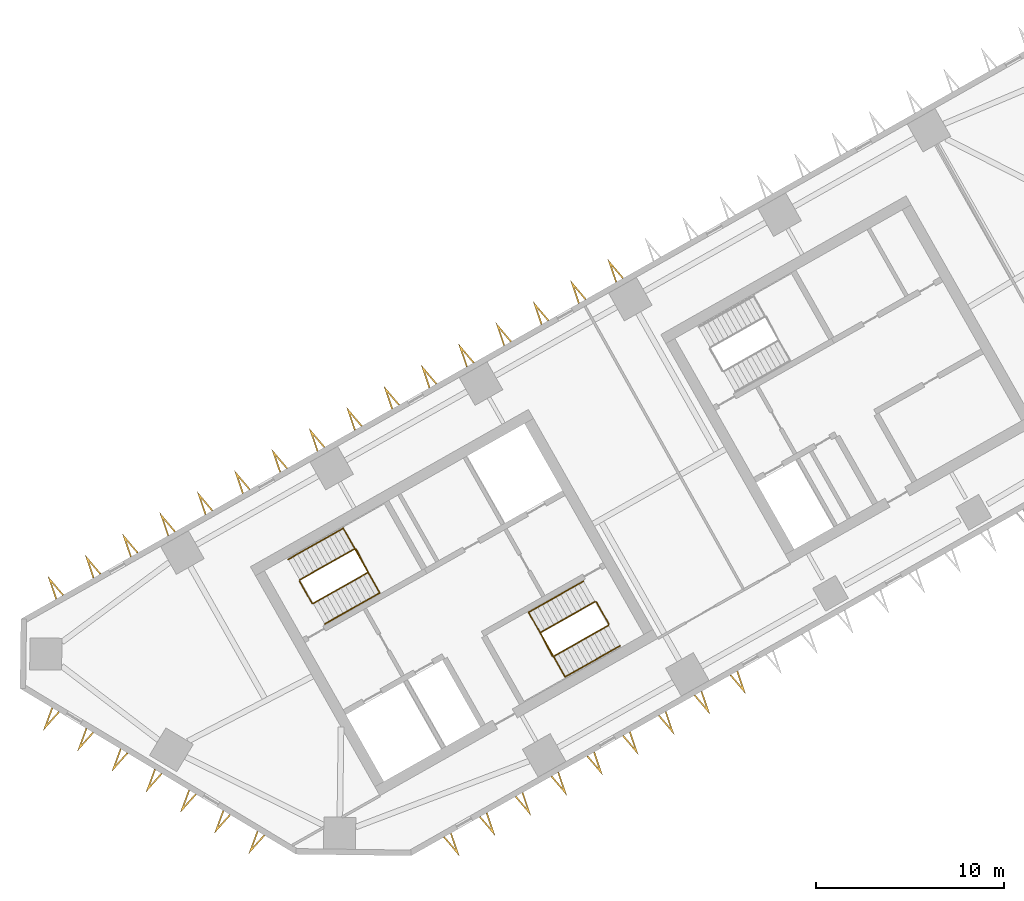
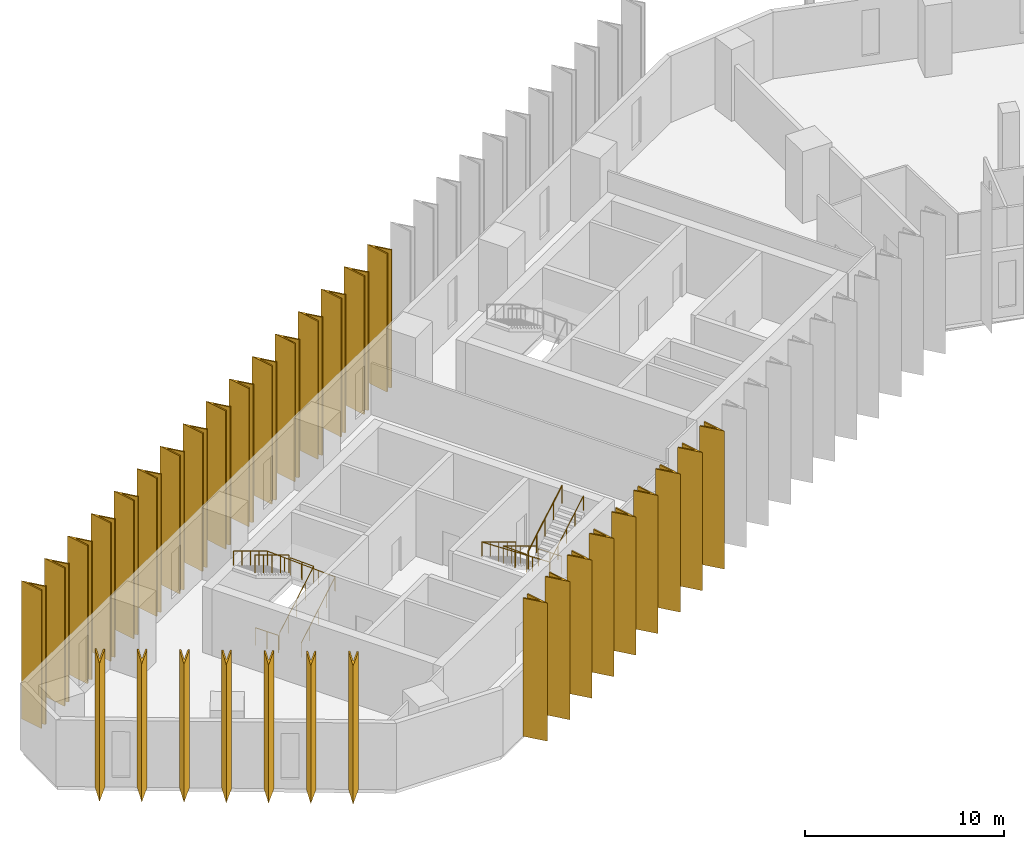
# One storey, part 9 of 11: 32 shading devices, 8 railings.
"""IFC4 building model written with IfcOpenShell, lengths in metres."""

from ifc_helpers import new_model, si_unit, direction, frame, origin, origin_2d, place, context, subcontext, project, spatial, polyline, circle, outline, extrude, material, type_object, element, save


model = new_model("IFC4")

# Units and contexts
model_context = context("Model", 3, precision=1e-05, world=origin(), true_north=direction((0.0, 1.0)))
body_context = subcontext(model_context, "Body", "Model", "MODEL_VIEW")
ifc_project = project(units=[si_unit("LENGTHUNIT", "METRE"), si_unit("AREAUNIT", "SQUARE_METRE"), si_unit("VOLUMEUNIT", "CUBIC_METRE"), si_unit("PLANEANGLEUNIT", "RADIAN"), si_unit("MASSUNIT", "GRAM", prefix="KILO")], contexts=[model_context])

# Site, building, storey
site_placement = place(None, origin())
site = spatial("IfcSite", under=ifc_project, at=site_placement, CompositionType="ELEMENT")
building_placement = place(site_placement, origin())
building = spatial("IfcBuilding", under=site, at=building_placement, Name="Binnacle Exchange Tower", CompositionType="ELEMENT")
storey_placement = place(building_placement, frame((0.0, 0.0, 97.10009765625)))
storey = spatial("IfcBuildingStorey", under=building, at=storey_placement, Name="L19", CompositionType="ELEMENT", Elevation=97.10009765625)

# Railings
ifc_material_1 = material(Name="Steel guard rail", Category="steel")
railing_type_1 = type_object("IfcRailingType", Name="STAIR GUARD 1100", PredefinedType="GUARDRAIL", material=ifc_material_1)
railing_1_placement = place(storey_placement, frame((-43.26171875, 39.71728515625, 0.169189453125)))
element("IfcRailing", 1, at=railing_1_placement, inside=storey, type_object=railing_type_1, Name="L19 STA1 stair guard 1", PredefinedType="GUARDRAIL", context=body_context, shape_type="SweptSolid", body=[
    extrude(circle(Radius=0.02392578125, at=origin_2d()), frame((0.0, 0.0, 1.076171875), z_axis=(0.744867460262, 0.421436531824, 0.517265614832), x_axis=(-0.492433119026, 0.870350287693, 0.0)), (0.0, 0.0, 1.0), 3.926025390625),
    extrude(circle(Radius=0.02392578125, at=origin_2d()), frame((2.92431640625, 1.654541015625, 3.10693359375), z_axis=(-0.460963092712, 0.887419307406, 0.0), x_axis=(-0.887419307406, -0.460963092712, 0.0)), (0.0, 0.0, 1.0), 1.40087890625),
    extrude(circle(Radius=0.02099609375, at=origin_2d()), origin(), (0.0, 0.0, 1.0), 1.052001953125),
    extrude(circle(Radius=0.02099609375, at=origin_2d()), frame((0.73095703125, 0.41357421875, 0.5078125)), (0.0, 0.0, 1.0), 1.052001953125),
    extrude(circle(Radius=0.02099609375, at=origin_2d()), frame((1.462158203125, 0.8271484375, 1.015380859375)), (0.0, 0.0, 1.0), 1.052001953125),
    extrude(circle(Radius=0.02099609375, at=origin_2d()), frame((2.193359375, 1.240966796875, 1.52294921875)), (0.0, 0.0, 1.0), 1.052001953125),
    extrude(circle(Radius=0.02099609375, at=origin_2d()), frame((2.92431640625, 1.654541015625, 2.03076171875)), (0.0, 0.0, 1.0), 1.052001953125),
    extrude(circle(Radius=0.02099609375, at=origin_2d()), frame((2.6015625, 2.276123046875, 2.03076171875)), (0.0, 0.0, 1.0), 1.052001953125),
    extrude(circle(Radius=0.02099609375, at=origin_2d()), frame((2.278564453125, 2.897705078125, 2.03076171875)), (0.0, 0.0, 1.0), 1.052001953125),
])
railing_2_placement = place(storey_placement, frame((-41.05126953125, 42.6337890625, 2.369140625)))
element("IfcRailing", 2, at=railing_2_placement, inside=storey, type_object=railing_type_1, Name="L19 STA1 stair guard 2", PredefinedType="GUARDRAIL", context=body_context, shape_type="SweptSolid", body=[
    extrude(circle(Radius=0.02392578125, at=origin_2d()), frame((0.0, 0.0, 1.076171875), z_axis=(-0.744895141965, -0.421417011194, 0.517241655469), x_axis=(0.49240197835, -0.870367905955, 0.0)), (0.0, 0.0, 1.0), 3.926025390625),
    extrude(circle(Radius=0.02099609375, at=origin_2d()), origin(), (0.0, 0.0, 1.0), 1.052001953125),
    extrude(circle(Radius=0.02099609375, at=origin_2d()), frame((-0.731201171875, -0.41357421875, 0.5078125)), (0.0, 0.0, 1.0), 1.052001953125),
    extrude(circle(Radius=0.02099609375, at=origin_2d()), frame((-1.46240234375, -0.8271484375, 1.015380859375)), (0.0, 0.0, 1.0), 1.052001953125),
    extrude(circle(Radius=0.02099609375, at=origin_2d()), frame((-2.193359375, -1.240966796875, 1.52294921875)), (0.0, 0.0, 1.0), 1.052001953125),
    extrude(circle(Radius=0.02099609375, at=origin_2d()), frame((-2.924560546875, -1.654541015625, 2.03076171875)), (0.0, 0.0, 1.0), 1.052001953125),
])
railing_3_placement = place(storey_placement, frame((-43.329833984375, 39.736328125, 0.0)))
element("IfcRailing", 3, at=railing_3_placement, inside=storey, type_object=railing_type_1, Name="L19 STA1 stair guard 3", PredefinedType="GUARDRAIL", context=body_context, shape_type="SweptSolid", body=[
    extrude(circle(Radius=0.02392578125, at=origin_2d()), frame((0.0, 0.0, 1.076171875), z_axis=(-0.4924922531, 0.870316827734, 0.0), x_axis=(-0.870316827734, -0.4924922531, 0.0)), (0.0, 0.0, 1.0), 1.349853515625),
    extrude(circle(Radius=0.02099609375, at=origin_2d()), origin(), (0.0, 0.0, 1.0), 1.052001953125),
    extrude(circle(Radius=0.02099609375, at=origin_2d()), frame((-0.33251953125, 0.58740234375, 0.0)), (0.0, 0.0, 1.0), 1.052001953125),
    extrude(circle(Radius=0.02099609375, at=origin_2d()), frame((-0.664794921875, 1.1748046875, 0.0)), (0.0, 0.0, 1.0), 1.052001953125),
])
railing_4_placement = place(storey_placement, frame((-28.265380859375, 39.814453125, 0.169189453125)))
element("IfcRailing", 4, at=railing_4_placement, inside=storey, type_object=railing_type_1, Name="L19 STA2 stair guard 1", PredefinedType="GUARDRAIL", context=body_context, shape_type="SweptSolid", body=[
    extrude(circle(Radius=0.02392578125, at=origin_2d()), frame((0.0, 0.0, 1.076171875), z_axis=(-0.744895141965, -0.421417011194, 0.517241655469), x_axis=(0.49240197835, -0.870367905955, 0.0)), (0.0, 0.0, 1.0), 3.926025390625),
    extrude(circle(Radius=0.02392578125, at=origin_2d()), frame((-2.924560546875, -1.654541015625, 3.10693359375), z_axis=(0.461100321709, -0.887348011391, 0.0), x_axis=(0.887348011391, 0.461100321709, 0.0)), (0.0, 0.0, 1.0), 1.40087890625),
    extrude(circle(Radius=0.02099609375, at=origin_2d()), origin(), (0.0, 0.0, 1.0), 1.052001953125),
    extrude(circle(Radius=0.02099609375, at=origin_2d()), frame((-0.731201171875, -0.41357421875, 0.5078125)), (0.0, 0.0, 1.0), 1.052001953125),
    extrude(circle(Radius=0.02099609375, at=origin_2d()), frame((-1.46240234375, -0.8271484375, 1.015380859375)), (0.0, 0.0, 1.0), 1.052001953125),
    extrude(circle(Radius=0.02099609375, at=origin_2d()), frame((-2.193359375, -1.240966796875, 1.52294921875)), (0.0, 0.0, 1.0), 1.052001953125),
    extrude(circle(Radius=0.02099609375, at=origin_2d()), frame((-2.924560546875, -1.654541015625, 2.03076171875)), (0.0, 0.0, 1.0), 1.052001953125),
    extrude(circle(Radius=0.02099609375, at=origin_2d()), frame((-2.6015625, -2.276123046875, 2.03076171875)), (0.0, 0.0, 1.0), 1.052001953125),
    extrude(circle(Radius=0.02099609375, at=origin_2d()), frame((-2.278564453125, -2.897705078125, 2.03076171875)), (0.0, 0.0, 1.0), 1.052001953125),
])
railing_5_placement = place(storey_placement, frame((-30.475830078125, 36.89794921875, 2.369140625)))
element("IfcRailing", 5, at=railing_5_placement, inside=storey, type_object=railing_type_1, Name="L19 STA2 stair guard 2", PredefinedType="GUARDRAIL", context=body_context, shape_type="SweptSolid", body=[
    extrude(circle(Radius=0.02392578125, at=origin_2d()), frame((0.0, 0.0, 1.076171875), z_axis=(0.744867460262, 0.421436531824, 0.517265614832), x_axis=(-0.492433119026, 0.870350287693, 0.0)), (0.0, 0.0, 1.0), 3.926025390625),
    extrude(circle(Radius=0.02099609375, at=origin_2d()), origin(), (0.0, 0.0, 1.0), 1.052001953125),
    extrude(circle(Radius=0.02099609375, at=origin_2d()), frame((0.73095703125, 0.41357421875, 0.5078125)), (0.0, 0.0, 1.0), 1.052001953125),
    extrude(circle(Radius=0.02099609375, at=origin_2d()), frame((1.462158203125, 0.8271484375, 1.015380859375)), (0.0, 0.0, 1.0), 1.052001953125),
    extrude(circle(Radius=0.02099609375, at=origin_2d()), frame((2.193359375, 1.240966796875, 1.52294921875)), (0.0, 0.0, 1.0), 1.052001953125),
    extrude(circle(Radius=0.02099609375, at=origin_2d()), frame((2.92431640625, 1.654541015625, 2.03076171875)), (0.0, 0.0, 1.0), 1.052001953125),
])
railing_6_placement = place(storey_placement, frame((-28.197265625, 39.795654296875, 0.0)))
element("IfcRailing", 6, at=railing_6_placement, inside=storey, type_object=railing_type_1, Name="L19 STA2 stair guard 3", PredefinedType="GUARDRAIL", context=body_context, shape_type="SweptSolid", body=[
    extrude(circle(Radius=0.02392578125, at=origin_2d()), frame((0.0, 0.0, 1.076171875), z_axis=(0.49241474071, -0.870360685654, 0.0), x_axis=(0.870360685654, 0.49241474071, 0.0)), (0.0, 0.0, 1.0), 1.35009765625),
    extrude(circle(Radius=0.02099609375, at=origin_2d()), origin(), (0.0, 0.0, 1.0), 1.052001953125),
    extrude(circle(Radius=0.02099609375, at=origin_2d()), frame((0.33251953125, -0.58740234375, 0.0)), (0.0, 0.0, 1.0), 1.052001953125),
    extrude(circle(Radius=0.02099609375, at=origin_2d()), frame((0.664794921875, -1.175048828125, 0.0)), (0.0, 0.0, 1.0), 1.052001953125),
])
ifc_material_2 = material(Name="Steel handrail", Category="steel")
railing_type_2 = type_object("IfcRailingType", Name="STAIR HANDRAIL 900", PredefinedType="HANDRAIL", material=ifc_material_2)
railing_7_placement = place(storey_placement, frame((-42.646240234375, 38.62939453125, 0.169189453125)))
element("IfcRailing", 7, at=railing_7_placement, inside=storey, type_object=railing_type_2, Name="L19 STA1 stair handrail 1", PredefinedType="HANDRAIL", context=body_context, shape_type="SweptSolid", body=[
    extrude(circle(Radius=0.02392578125, at=origin_2d()), frame((0.0, 0.0, 0.8759765625), z_axis=(0.744867460262, 0.421436531824, 0.517265614832), x_axis=(-0.492433119026, 0.870350287693, 0.0)), (0.0, 0.0, 1.0), 3.926025390625),
    extrude(circle(Radius=0.02392578125, at=origin_2d()), frame((2.92431640625, 1.654541015625, 2.90673828125), z_axis=(-0.491962556146, 0.869564041126, 0.04279277663), x_axis=(-0.870361318571, -0.492413622004, 0.0)), (0.0, 0.0, 1.0), 3.95361328125),
    extrude(circle(Radius=0.02392578125, at=origin_2d()), frame((0.979248046875, 5.092529296875, 3.07568359375), z_axis=(-0.744867460262, -0.421436531824, 0.517265614832), x_axis=(0.492433119026, -0.870350287693, 0.0)), (0.0, 0.0, 1.0), 3.926025390625),
    extrude(circle(Radius=0.02099609375, at=origin_2d()), origin(), (0.0, 0.0, 1.0), 0.851806640625),
    extrude(circle(Radius=0.02099609375, at=origin_2d()), frame((0.73095703125, 0.41357421875, 0.5078125)), (0.0, 0.0, 1.0), 0.851806640625),
    extrude(circle(Radius=0.02099609375, at=origin_2d()), frame((1.462158203125, 0.8271484375, 1.015380859375)), (0.0, 0.0, 1.0), 0.851806640625),
    extrude(circle(Radius=0.02099609375, at=origin_2d()), frame((2.193359375, 1.240966796875, 1.52294921875)), (0.0, 0.0, 1.0), 0.851806640625),
    extrude(circle(Radius=0.02099609375, at=origin_2d()), frame((2.92431640625, 1.654541015625, 2.03076171875)), (0.0, 0.0, 1.0), 0.851806640625),
    extrude(circle(Radius=0.02099609375, at=origin_2d()), frame((2.43798828125, 2.51416015625, 2.072998046875)), (0.0, 0.0, 1.0), 0.851806640625),
    extrude(circle(Radius=0.02099609375, at=origin_2d()), frame((1.95166015625, 3.37353515625, 2.115234375)), (0.0, 0.0, 1.0), 0.851806640625),
    extrude(circle(Radius=0.02099609375, at=origin_2d()), frame((1.465576171875, 4.23291015625, 2.15771484375)), (0.0, 0.0, 1.0), 0.851806640625),
    extrude(circle(Radius=0.02099609375, at=origin_2d()), frame((0.979248046875, 5.092529296875, 2.199951171875)), (0.0, 0.0, 1.0), 0.851806640625),
    extrude(circle(Radius=0.02099609375, at=origin_2d()), frame((0.248046875, 4.678955078125, 2.70751953125)), (0.0, 0.0, 1.0), 0.851806640625),
    extrude(circle(Radius=0.02099609375, at=origin_2d()), frame((-0.48291015625, 4.26513671875, 3.21533203125)), (0.0, 0.0, 1.0), 0.851806640625),
    extrude(circle(Radius=0.02099609375, at=origin_2d()), frame((-1.2138671875, 3.8515625, 3.72314453125)), (0.0, 0.0, 1.0), 0.851806640625),
    extrude(circle(Radius=0.02099609375, at=origin_2d()), frame((-1.945068359375, 3.43798828125, 4.230712890625)), (0.0, 0.0, 1.0), 0.851806640625),
])
railing_8_placement = place(storey_placement, frame((-28.880859375, 40.90234375, 0.169189453125)))
element("IfcRailing", 8, at=railing_8_placement, inside=storey, type_object=railing_type_2, Name="L19 STA2 stair handrail 1", PredefinedType="HANDRAIL", context=body_context, shape_type="SweptSolid", body=[
    extrude(circle(Radius=0.02392578125, at=origin_2d()), frame((0.0, 0.0, 0.8759765625), z_axis=(-0.744895141965, -0.421417011194, 0.517241655469), x_axis=(0.49240197835, -0.870367905955, 0.0)), (0.0, 0.0, 1.0), 3.926025390625),
    extrude(circle(Radius=0.02392578125, at=origin_2d()), frame((-2.924560546875, -1.654541015625, 2.90673828125), z_axis=(0.491988973567, -0.869548981648, 0.042795074518), x_axis=(0.87034633103, 0.492440112159, 0.0)), (0.0, 0.0, 1.0), 3.953369140625),
    extrude(circle(Radius=0.02392578125, at=origin_2d()), frame((-0.9794921875, -5.09228515625, 3.07568359375), z_axis=(0.744895141965, 0.421417011194, 0.517241655469), x_axis=(-0.49240197835, 0.870367905955, 0.0)), (0.0, 0.0, 1.0), 3.926025390625),
    extrude(circle(Radius=0.02099609375, at=origin_2d()), origin(), (0.0, 0.0, 1.0), 0.851806640625),
    extrude(circle(Radius=0.02099609375, at=origin_2d()), frame((-0.731201171875, -0.41357421875, 0.5078125)), (0.0, 0.0, 1.0), 0.851806640625),
    extrude(circle(Radius=0.02099609375, at=origin_2d()), frame((-1.46240234375, -0.8271484375, 1.015380859375)), (0.0, 0.0, 1.0), 0.851806640625),
    extrude(circle(Radius=0.02099609375, at=origin_2d()), frame((-2.193359375, -1.240966796875, 1.52294921875)), (0.0, 0.0, 1.0), 0.851806640625),
    extrude(circle(Radius=0.02099609375, at=origin_2d()), frame((-2.924560546875, -1.654541015625, 2.03076171875)), (0.0, 0.0, 1.0), 0.851806640625),
    extrude(circle(Radius=0.02099609375, at=origin_2d()), frame((-2.438232421875, -2.513916015625, 2.072998046875)), (0.0, 0.0, 1.0), 0.851806640625),
    extrude(circle(Radius=0.02099609375, at=origin_2d()), frame((-1.9521484375, -3.37353515625, 2.115234375)), (0.0, 0.0, 1.0), 0.851806640625),
    extrude(circle(Radius=0.02099609375, at=origin_2d()), frame((-1.4658203125, -4.23291015625, 2.15771484375)), (0.0, 0.0, 1.0), 0.851806640625),
    extrude(circle(Radius=0.02099609375, at=origin_2d()), frame((-0.9794921875, -5.09228515625, 2.199951171875)), (0.0, 0.0, 1.0), 0.851806640625),
    extrude(circle(Radius=0.02099609375, at=origin_2d()), frame((-0.248291015625, -4.6787109375, 2.70751953125)), (0.0, 0.0, 1.0), 0.851806640625),
    extrude(circle(Radius=0.02099609375, at=origin_2d()), frame((0.48291015625, -4.26513671875, 3.21533203125)), (0.0, 0.0, 1.0), 0.851806640625),
    extrude(circle(Radius=0.02099609375, at=origin_2d()), frame((1.2138671875, -3.851318359375, 3.72314453125)), (0.0, 0.0, 1.0), 0.851806640625),
    extrude(circle(Radius=0.02099609375, at=origin_2d()), frame((1.945068359375, -3.437744140625, 4.230712890625)), (0.0, 0.0, 1.0), 0.851806640625),
])

# Shading devices
ifc_material_3 = material(Name="Bronze aluminium cladding", Category="aluminium")
shading_device_type = type_object("IfcShadingDeviceType", Name="V FIN 1300 DEEP x 8480 HIGH", PredefinedType="USERDEFINED", material=ifc_material_3)
shading_device_1_placement = place(storey_placement, origin())
element("IfcShadingDevice", 9, at=shading_device_1_placement, inside=storey, type_object=shading_device_type, Name="V fin FN-F03-12 L19", ObjectType="FIN", PredefinedType="USERDEFINED", context=body_context, shape_type="SweptSolid", body=[
    extrude(outline(polyline([(-26.7412109375, 57.04296875), (-27.59912109375, 58.05126953125), (-27.176513671875, 56.796630859375), (-27.10546875, 56.8369140625), (-27.390380859375, 57.6826171875), (-26.81201171875, 57.002685546875), (-26.7412109375, 57.04296875)])), origin(), (0.0, 0.0, 1.0), 8.47998046875),
])
shading_device_2_placement = place(storey_placement, origin())
element("IfcShadingDevice", 10, at=shading_device_2_placement, inside=storey, type_object=shading_device_type, Name="V fin FN-F03-13 L19", ObjectType="FIN", PredefinedType="USERDEFINED", context=body_context, shape_type="SweptSolid", body=[
    extrude(outline(polyline([(-28.727783203125, 55.9189453125), (-29.58544921875, 56.92724609375), (-29.162841796875, 55.672607421875), (-29.092041015625, 55.712890625), (-29.376708984375, 56.55859375), (-28.798583984375, 55.87890625), (-28.727783203125, 55.9189453125)])), origin(), (0.0, 0.0, 1.0), 8.47998046875),
])
shading_device_3_placement = place(storey_placement, origin())
element("IfcShadingDevice", 11, at=shading_device_3_placement, inside=storey, type_object=shading_device_type, Name="V fin FN-F03-14 L19", ObjectType="FIN", PredefinedType="USERDEFINED", context=body_context, shape_type="SweptSolid", body=[
    extrude(outline(polyline([(-30.71435546875, 54.794921875), (-31.572021484375, 55.803466796875), (-31.1494140625, 54.548828125), (-31.07861328125, 54.5888671875), (-31.36328125, 55.434814453125), (-30.78515625, 54.7548828125), (-30.71435546875, 54.794921875)])), origin(), (0.0, 0.0, 1.0), 8.47998046875),
])
shading_device_4_placement = place(storey_placement, origin())
element("IfcShadingDevice", 12, at=shading_device_4_placement, inside=storey, type_object=shading_device_type, Name="V fin FN-F03-15 L19", ObjectType="FIN", PredefinedType="USERDEFINED", context=body_context, shape_type="SweptSolid", body=[
    extrude(outline(polyline([(-32.70068359375, 53.6708984375), (-33.55859375, 54.679443359375), (-33.135986328125, 53.4248046875), (-33.065185546875, 53.46484375), (-33.349853515625, 54.310791015625), (-32.771728515625, 53.630859375), (-32.70068359375, 53.6708984375)])), origin(), (0.0, 0.0, 1.0), 8.47998046875),
])
shading_device_5_placement = place(storey_placement, origin())
element("IfcShadingDevice", 13, at=shading_device_5_placement, inside=storey, type_object=shading_device_type, Name="V fin FN-F03-16 L19", ObjectType="FIN", PredefinedType="USERDEFINED", context=body_context, shape_type="SweptSolid", body=[
    extrude(outline(polyline([(-34.687255859375, 52.547119140625), (-35.545166015625, 53.555419921875), (-35.12255859375, 52.30078125), (-35.051513671875, 52.341064453125), (-35.33642578125, 53.186767578125), (-34.75830078125, 52.507080078125), (-34.687255859375, 52.547119140625)])), origin(), (0.0, 0.0, 1.0), 8.47998046875),
])
shading_device_6_placement = place(storey_placement, origin())
element("IfcShadingDevice", 14, at=shading_device_6_placement, inside=storey, type_object=shading_device_type, Name="V fin FN-F03-17 L19", ObjectType="FIN", PredefinedType="USERDEFINED", context=body_context, shape_type="SweptSolid", body=[
    extrude(outline(polyline([(-36.673828125, 51.423095703125), (-37.53173828125, 52.431640625), (-37.109130859375, 51.177001953125), (-37.0380859375, 51.217041015625), (-37.322998046875, 52.06298828125), (-36.744873046875, 51.383056640625), (-36.673828125, 51.423095703125)])), origin(), (0.0, 0.0, 1.0), 8.47998046875),
])
shading_device_7_placement = place(storey_placement, origin())
element("IfcShadingDevice", 15, at=shading_device_7_placement, inside=storey, type_object=shading_device_type, Name="V fin FN-F03-18 L19", ObjectType="FIN", PredefinedType="USERDEFINED", context=body_context, shape_type="SweptSolid", body=[
    extrude(outline(polyline([(-38.660400390625, 50.29931640625), (-39.518310546875, 51.3076171875), (-39.095703125, 50.052978515625), (-39.02490234375, 50.093017578125), (-39.3095703125, 50.93896484375), (-38.7314453125, 50.259033203125), (-38.660400390625, 50.29931640625)])), origin(), (0.0, 0.0, 1.0), 8.47998046875),
])
shading_device_8_placement = place(storey_placement, origin())
element("IfcShadingDevice", 16, at=shading_device_8_placement, inside=storey, type_object=shading_device_type, Name="V fin FN-F03-19 L19", ObjectType="FIN", PredefinedType="USERDEFINED", context=body_context, shape_type="SweptSolid", body=[
    extrude(outline(polyline([(-40.64697265625, 49.17529296875), (-41.5048828125, 50.18359375), (-41.082275390625, 48.92919921875), (-41.01123046875, 48.96923828125), (-41.296142578125, 49.81494140625), (-40.718017578125, 49.13525390625), (-40.64697265625, 49.17529296875)])), origin(), (0.0, 0.0, 1.0), 8.47998046875),
])
shading_device_9_placement = place(storey_placement, origin())
element("IfcShadingDevice", 17, at=shading_device_9_placement, inside=storey, type_object=shading_device_type, Name="V fin FN-F03-20 L19", ObjectType="FIN", PredefinedType="USERDEFINED", context=body_context, shape_type="SweptSolid", body=[
    extrude(outline(polyline([(-42.633544921875, 48.05126953125), (-43.491455078125, 49.059814453125), (-43.06884765625, 47.80517578125), (-42.997802734375, 47.84521484375), (-43.28271484375, 48.69091796875), (-42.70458984375, 48.01123046875), (-42.633544921875, 48.05126953125)])), origin(), (0.0, 0.0, 1.0), 8.47998046875),
])
shading_device_10_placement = place(storey_placement, origin())
element("IfcShadingDevice", 18, at=shading_device_10_placement, inside=storey, type_object=shading_device_type, Name="V fin FN-F03-21 L19", ObjectType="FIN", PredefinedType="USERDEFINED", context=body_context, shape_type="SweptSolid", body=[
    extrude(outline(polyline([(-44.6201171875, 46.927490234375), (-45.47802734375, 47.935791015625), (-45.055419921875, 46.68115234375), (-44.984619140625, 46.72119140625), (-45.269287109375, 47.567138671875), (-44.691162109375, 46.88720703125), (-44.6201171875, 46.927490234375)])), origin(), (0.0, 0.0, 1.0), 8.47998046875),
])
shading_device_11_placement = place(storey_placement, origin())
element("IfcShadingDevice", 19, at=shading_device_11_placement, inside=storey, type_object=shading_device_type, Name="V fin FN-F03-22 L19", ObjectType="FIN", PredefinedType="USERDEFINED", context=body_context, shape_type="SweptSolid", body=[
    extrude(outline(polyline([(-46.606689453125, 45.803466796875), (-47.464599609375, 46.81201171875), (-47.0419921875, 45.557373046875), (-46.970947265625, 45.597412109375), (-47.255859375, 46.443115234375), (-46.677490234375, 45.763427734375), (-46.606689453125, 45.803466796875)])), origin(), (0.0, 0.0, 1.0), 8.47998046875),
])
shading_device_12_placement = place(storey_placement, origin())
element("IfcShadingDevice", 20, at=shading_device_12_placement, inside=storey, type_object=shading_device_type, Name="V fin FN-F03-23 L19", ObjectType="FIN", PredefinedType="USERDEFINED", context=body_context, shape_type="SweptSolid", body=[
    extrude(outline(polyline([(-48.59326171875, 44.679443359375), (-49.451171875, 45.68798828125), (-49.028564453125, 44.433349609375), (-48.95751953125, 44.473388671875), (-49.242431640625, 45.319091796875), (-48.664306640625, 44.639404296875), (-48.59326171875, 44.679443359375)])), origin(), (0.0, 0.0, 1.0), 8.47998046875),
])
shading_device_13_placement = place(storey_placement, origin())
element("IfcShadingDevice", 21, at=shading_device_13_placement, inside=storey, type_object=shading_device_type, Name="V fin FN-F03-24 L19", ObjectType="FIN", PredefinedType="USERDEFINED", context=body_context, shape_type="SweptSolid", body=[
    extrude(outline(polyline([(-50.579833984375, 43.5556640625), (-51.4375, 44.56396484375), (-51.014892578125, 43.309326171875), (-50.944091796875, 43.349609375), (-51.22900390625, 44.1953125), (-50.650634765625, 43.515380859375), (-50.579833984375, 43.5556640625)])), origin(), (0.0, 0.0, 1.0), 8.47998046875),
])
shading_device_14_placement = place(storey_placement, origin())
element("IfcShadingDevice", 22, at=shading_device_14_placement, inside=storey, type_object=shading_device_type, Name="V fin FN-F03-25 L19", ObjectType="FIN", PredefinedType="USERDEFINED", context=body_context, shape_type="SweptSolid", body=[
    extrude(outline(polyline([(-52.56640625, 42.431640625), (-53.42431640625, 43.440185546875), (-53.001708984375, 42.185546875), (-52.9306640625, 42.2255859375), (-53.215576171875, 43.0712890625), (-52.63720703125, 42.3916015625), (-52.56640625, 42.431640625)])), origin(), (0.0, 0.0, 1.0), 8.47998046875),
])
shading_device_15_placement = place(storey_placement, origin())
element("IfcShadingDevice", 23, at=shading_device_15_placement, inside=storey, type_object=shading_device_type, Name="V fin FN-F03-26 L19", ObjectType="FIN", PredefinedType="USERDEFINED", context=body_context, shape_type="SweptSolid", body=[
    extrude(outline(polyline([(-54.552978515625, 41.3076171875), (-55.410888671875, 42.316162109375), (-54.98828125, 41.0615234375), (-54.917236328125, 41.1015625), (-55.2021484375, 41.947509765625), (-54.623779296875, 41.267578125), (-54.552978515625, 41.3076171875)])), origin(), (0.0, 0.0, 1.0), 8.47998046875),
])
shading_device_16_placement = place(storey_placement, origin())
element("IfcShadingDevice", 24, at=shading_device_16_placement, inside=storey, type_object=shading_device_type, Name="V fin FN-F03-27 L19", ObjectType="FIN", PredefinedType="USERDEFINED", context=body_context, shape_type="SweptSolid", body=[
    extrude(outline(polyline([(-56.53955078125, 40.183837890625), (-57.397216796875, 41.192138671875), (-56.974609375, 39.9375), (-56.90380859375, 39.977783203125), (-57.188720703125, 40.823486328125), (-56.6103515625, 40.143798828125), (-56.53955078125, 40.183837890625)])), origin(), (0.0, 0.0, 1.0), 8.47998046875),
])
shading_device_17_placement = place(storey_placement, origin())
element("IfcShadingDevice", 25, at=shading_device_17_placement, inside=storey, type_object=shading_device_type, Name="V fin FN-F05-01 L19", ObjectType="FIN", PredefinedType="USERDEFINED", context=body_context, shape_type="SweptSolid", body=[
    extrude(outline(polyline([(-57.18603515625, 34.185791015625), (-57.641357421875, 32.94287109375), (-56.757568359375, 33.92822265625), (-56.827392578125, 33.97021484375), (-57.423095703125, 33.305908203125), (-57.1162109375, 34.143798828125), (-57.18603515625, 34.185791015625)])), origin(), (0.0, 0.0, 1.0), 8.47998046875),
])
shading_device_18_placement = place(storey_placement, origin())
element("IfcShadingDevice", 26, at=shading_device_18_placement, inside=storey, type_object=shading_device_type, Name="V fin FN-F05-02 L19", ObjectType="FIN", PredefinedType="USERDEFINED", context=body_context, shape_type="SweptSolid", body=[
    extrude(outline(polyline([(-55.364501953125, 33.09130859375), (-55.81982421875, 31.848388671875), (-54.93603515625, 32.833740234375), (-55.005859375, 32.875732421875), (-55.601806640625, 32.21142578125), (-55.294921875, 33.04931640625), (-55.364501953125, 33.09130859375)])), origin(), (0.0, 0.0, 1.0), 8.47998046875),
])
shading_device_19_placement = place(storey_placement, origin())
element("IfcShadingDevice", 27, at=shading_device_19_placement, inside=storey, type_object=shading_device_type, Name="V fin FN-F05-03 L19", ObjectType="FIN", PredefinedType="USERDEFINED", context=body_context, shape_type="SweptSolid", body=[
    extrude(outline(polyline([(-53.543212890625, 31.9970703125), (-53.998291015625, 30.75390625), (-53.114501953125, 31.739501953125), (-53.184326171875, 31.781494140625), (-53.7802734375, 31.116943359375), (-53.473388671875, 31.955078125), (-53.543212890625, 31.9970703125)])), origin(), (0.0, 0.0, 1.0), 8.47998046875),
])
shading_device_20_placement = place(storey_placement, origin())
element("IfcShadingDevice", 28, at=shading_device_20_placement, inside=storey, type_object=shading_device_type, Name="V fin FN-F05-04 L19", ObjectType="FIN", PredefinedType="USERDEFINED", context=body_context, shape_type="SweptSolid", body=[
    extrude(outline(polyline([(-51.7216796875, 30.902587890625), (-52.1767578125, 29.659423828125), (-51.29296875, 30.64501953125), (-51.36279296875, 30.68701171875), (-51.958740234375, 30.0224609375), (-51.65185546875, 30.860595703125), (-51.7216796875, 30.902587890625)])), origin(), (0.0, 0.0, 1.0), 8.47998046875),
])
shading_device_21_placement = place(storey_placement, origin())
element("IfcShadingDevice", 29, at=shading_device_21_placement, inside=storey, type_object=shading_device_type, Name="V fin FN-F05-05 L19", ObjectType="FIN", PredefinedType="USERDEFINED", context=body_context, shape_type="SweptSolid", body=[
    extrude(outline(polyline([(-49.900146484375, 29.80810546875), (-50.35546875, 28.56494140625), (-49.4716796875, 29.55029296875), (-49.54150390625, 29.59228515625), (-50.13720703125, 28.927978515625), (-49.830322265625, 29.76611328125), (-49.900146484375, 29.80810546875)])), origin(), (0.0, 0.0, 1.0), 8.47998046875),
])
shading_device_22_placement = place(storey_placement, origin())
element("IfcShadingDevice", 30, at=shading_device_22_placement, inside=storey, type_object=shading_device_type, Name="V fin FN-F05-06 L19", ObjectType="FIN", PredefinedType="USERDEFINED", context=body_context, shape_type="SweptSolid", body=[
    extrude(outline(polyline([(-48.07861328125, 28.713623046875), (-48.533935546875, 27.470458984375), (-47.650146484375, 28.4560546875), (-47.719970703125, 28.498046875), (-48.31591796875, 27.83349609375), (-48.0087890625, 28.671630859375), (-48.07861328125, 28.713623046875)])), origin(), (0.0, 0.0, 1.0), 8.47998046875),
])
shading_device_23_placement = place(storey_placement, origin())
element("IfcShadingDevice", 31, at=shading_device_23_placement, inside=storey, type_object=shading_device_type, Name="V fin FN-F05-07 L19", ObjectType="FIN", PredefinedType="USERDEFINED", context=body_context, shape_type="SweptSolid", body=[
    extrude(outline(polyline([(-46.257080078125, 27.619140625), (-46.71240234375, 26.3759765625), (-45.82861328125, 27.361572265625), (-45.8984375, 27.403564453125), (-46.494384765625, 26.739013671875), (-46.1875, 27.5771484375), (-46.257080078125, 27.619140625)])), origin(), (0.0, 0.0, 1.0), 8.47998046875),
])
shading_device_24_placement = place(storey_placement, origin())
element("IfcShadingDevice", 32, at=shading_device_24_placement, inside=storey, type_object=shading_device_type, Name="V fin FN-F07-01 L19", ObjectType="FIN", PredefinedType="USERDEFINED", context=body_context, shape_type="SweptSolid", body=[
    extrude(outline(polyline([(-36.336669921875, 27.269287109375), (-35.47900390625, 26.260986328125), (-35.901611328125, 27.515625), (-35.972412109375, 27.4755859375), (-35.6875, 26.629638671875), (-36.265869140625, 27.3095703125), (-36.336669921875, 27.269287109375)])), origin(), (0.0, 0.0, 1.0), 8.47998046875),
])
shading_device_25_placement = place(storey_placement, origin())
element("IfcShadingDevice", 33, at=shading_device_25_placement, inside=storey, type_object=shading_device_type, Name="V fin FN-F07-02 L19", ObjectType="FIN", PredefinedType="USERDEFINED", context=body_context, shape_type="SweptSolid", body=[
    extrude(outline(polyline([(-34.431640625, 28.34716796875), (-33.573974609375, 27.338623046875), (-33.99658203125, 28.59326171875), (-34.0673828125, 28.55322265625), (-33.78271484375, 27.70751953125), (-34.36083984375, 28.38720703125), (-34.431640625, 28.34716796875)])), origin(), (0.0, 0.0, 1.0), 8.47998046875),
])
shading_device_26_placement = place(storey_placement, origin())
element("IfcShadingDevice", 34, at=shading_device_26_placement, inside=storey, type_object=shading_device_type, Name="V fin FN-F07-03 L19", ObjectType="FIN", PredefinedType="USERDEFINED", context=body_context, shape_type="SweptSolid", body=[
    extrude(outline(polyline([(-32.52685546875, 29.4248046875), (-31.669189453125, 28.41650390625), (-32.091796875, 29.671142578125), (-32.16259765625, 29.631103515625), (-31.877685546875, 28.78515625), (-32.4560546875, 29.465087890625), (-32.52685546875, 29.4248046875)])), origin(), (0.0, 0.0, 1.0), 8.47998046875),
])
shading_device_27_placement = place(storey_placement, origin())
element("IfcShadingDevice", 35, at=shading_device_27_placement, inside=storey, type_object=shading_device_type, Name="V fin FN-F07-04 L19", ObjectType="FIN", PredefinedType="USERDEFINED", context=body_context, shape_type="SweptSolid", body=[
    extrude(outline(polyline([(-30.6220703125, 30.502685546875), (-29.76416015625, 29.494140625), (-30.186767578125, 30.748779296875), (-30.2578125, 30.708740234375), (-29.972900390625, 29.86279296875), (-30.551025390625, 30.542724609375), (-30.6220703125, 30.502685546875)])), origin(), (0.0, 0.0, 1.0), 8.47998046875),
])
shading_device_28_placement = place(storey_placement, origin())
element("IfcShadingDevice", 36, at=shading_device_28_placement, inside=storey, type_object=shading_device_type, Name="V fin FN-F07-05 L19", ObjectType="FIN", PredefinedType="USERDEFINED", context=body_context, shape_type="SweptSolid", body=[
    extrude(outline(polyline([(-28.717041015625, 31.580322265625), (-27.859375, 30.572021484375), (-28.281982421875, 31.826416015625), (-28.352783203125, 31.786376953125), (-28.068115234375, 30.940673828125), (-28.646240234375, 31.620361328125), (-28.717041015625, 31.580322265625)])), origin(), (0.0, 0.0, 1.0), 8.47998046875),
])
shading_device_29_placement = place(storey_placement, origin())
element("IfcShadingDevice", 37, at=shading_device_29_placement, inside=storey, type_object=shading_device_type, Name="V fin FN-F07-06 L19", ObjectType="FIN", PredefinedType="USERDEFINED", context=body_context, shape_type="SweptSolid", body=[
    extrude(outline(polyline([(-26.812255859375, 32.658203125), (-25.954345703125, 31.649658203125), (-26.376953125, 32.904296875), (-26.447998046875, 32.8642578125), (-26.1630859375, 32.018310546875), (-26.7412109375, 32.6982421875), (-26.812255859375, 32.658203125)])), origin(), (0.0, 0.0, 1.0), 8.47998046875),
])
shading_device_30_placement = place(storey_placement, origin())
element("IfcShadingDevice", 38, at=shading_device_30_placement, inside=storey, type_object=shading_device_type, Name="V fin FN-F07-07 L19", ObjectType="FIN", PredefinedType="USERDEFINED", context=body_context, shape_type="SweptSolid", body=[
    extrude(outline(polyline([(-24.9072265625, 33.73583984375), (-24.049560546875, 32.727294921875), (-24.47216796875, 33.98193359375), (-24.54296875, 33.94189453125), (-24.25830078125, 33.09619140625), (-24.83642578125, 33.77587890625), (-24.9072265625, 33.73583984375)])), origin(), (0.0, 0.0, 1.0), 8.47998046875),
])
shading_device_31_placement = place(storey_placement, origin())
element("IfcShadingDevice", 39, at=shading_device_31_placement, inside=storey, type_object=shading_device_type, Name="V fin FN-F07-08 L19", ObjectType="FIN", PredefinedType="USERDEFINED", context=body_context, shape_type="SweptSolid", body=[
    extrude(outline(polyline([(-23.00244140625, 34.8134765625), (-22.14453125, 33.80517578125), (-22.567138671875, 35.059814453125), (-22.63818359375, 35.01953125), (-22.353271484375, 34.173828125), (-22.931396484375, 34.853515625), (-23.00244140625, 34.8134765625)])), origin(), (0.0, 0.0, 1.0), 8.47998046875),
])
shading_device_32_placement = place(storey_placement, origin())
element("IfcShadingDevice", 40, at=shading_device_32_placement, inside=storey, type_object=shading_device_type, Name="V fin FN-F07-09 L19", ObjectType="FIN", PredefinedType="USERDEFINED", context=body_context, shape_type="SweptSolid", body=[
    extrude(outline(polyline([(-21.097412109375, 35.891357421875), (-20.23974609375, 34.8828125), (-20.662353515625, 36.137451171875), (-20.733154296875, 36.097412109375), (-20.448486328125, 35.251708984375), (-21.026611328125, 35.931396484375), (-21.097412109375, 35.891357421875)])), origin(), (0.0, 0.0, 1.0), 8.47998046875),
])

save(model, "model.ifc")
